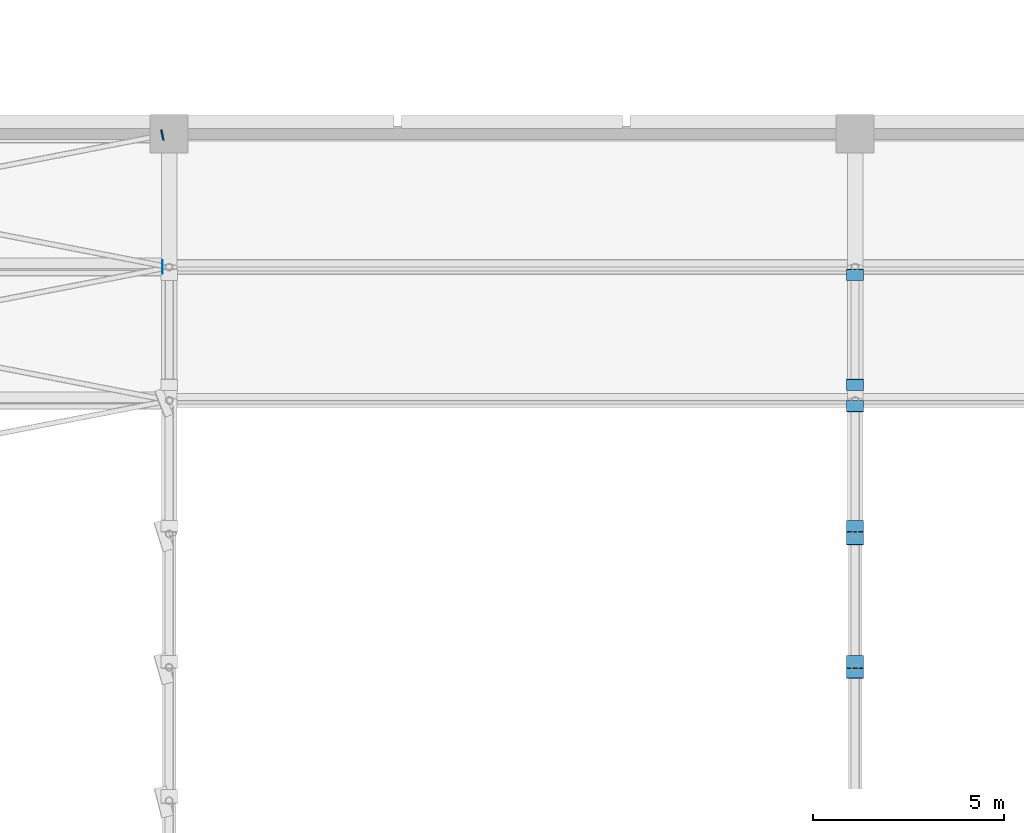
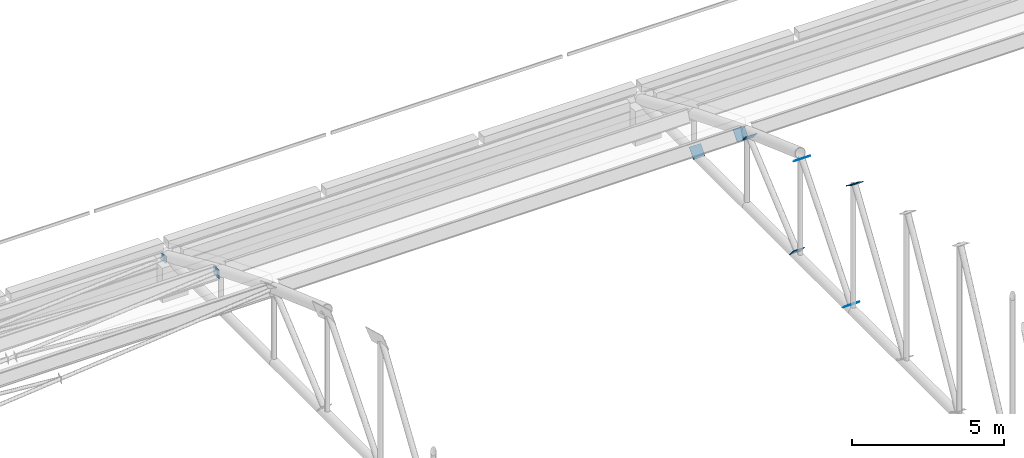
# One storey, part 174 of 196: 9 discrete accessories.
"""IFC4 building model written with IfcOpenShell, lengths in metres."""

from ifc_helpers import new_model, si_unit, direction, frame, origin, origin_2d, place, context, subcontext, project, spatial, rectangle, extrude, material, layer, layer_set, type_object, element, save


model = new_model("IFC4")

# Units and contexts
model_context = context("Model", 3, precision=1e-05, world=origin(), true_north=direction((0.0, 1.0)))
body_context = subcontext(model_context, "Body", "Model", "MODEL_VIEW")
ifc_project = project(units=[si_unit("LENGTHUNIT", "METRE"), si_unit("AREAUNIT", "SQUARE_METRE"), si_unit("VOLUMEUNIT", "CUBIC_METRE"), si_unit("PLANEANGLEUNIT", "RADIAN"), si_unit("MASSUNIT", "GRAM", prefix="KILO")], contexts=[model_context])

# Site, building, storey
site_placement = place(None, origin())
site = spatial("IfcSite", under=ifc_project, at=site_placement, CompositionType="ELEMENT")
building_placement = place(site_placement, origin())
building = spatial("IfcBuilding", under=site, at=building_placement, Name="Okhra Congress Centre", CompositionType="ELEMENT")
storey_placement = place(building_placement, frame((0.0, 0.0, 12.0)))
storey = spatial("IfcBuildingStorey", under=building, at=storey_placement, Name="L02", CompositionType="ELEMENT", Elevation=12.0)

# Discrete accessories
ifc_material = material(Name="Steel S355J2", Category="steel")
ifc_layer = layer(ifc_material, 0.02001953125)
ifc_layer_set = layer_set([ifc_layer], Name="Brace end connection plate 20 mm S355")
discrete_accessory_type = type_object("IfcDiscreteAccessoryType", Name="Brace end connection plate 20 mm S355", PredefinedType="BRACKET", material=ifc_layer_set)
for number, where, z_axis, x_axis, name in (
    (1, (64.0, 201.89404296875, 6.576416015625), (0.0, 0.551866900848, 0.833932205727), (-1.0, 0.0, 0.0), "Brace end connection plate"),
    (2, (64.0, 205.373779296875, 5.476318359375), (0.0, 0.630592625094, 0.776114000116), (-1.0, 0.0, 0.0), "Brace end connection plate"),
    (3, (64.0, 202.147216796875, 1.577880859375), (0.0, -0.643761629109, -0.765226087432), (1.0, 0.0, 0.0), "Brace end connection plate"),
    (4, (64.0, 208.8388671875, 4.237060546875), (0.0, 0.760121344352, 0.649781149204), (-1.0, 0.0, 0.0), "Brace end connection plate"),
    (5, (64.0, 205.709228515625, 1.577880859375), (0.0, -0.760121344352, -0.649781149204), (1.0, 0.0, 0.0), "Brace end connection plate"),
    (6, (64.0, 209.42578125, 4.01220703125), (0.0, -0.760121344352, 0.649781149204), (1.0, 0.0, 0.0), "Brace end connection plate"),
    (7, (64.0, 212.290771484375, 1.577880859375), (0.0, 0.760121344352, -0.649781149204), (-1.0, 0.0, 0.0), "Brace end connection plate"),
):
    element("IfcDiscreteAccessory", number, at=place(storey_placement, frame(where, z_axis=z_axis, x_axis=x_axis)), inside=storey, type_object=discrete_accessory_type, Name=name, PredefinedType="BRACKET", context=body_context, shape_type="SweptSolid", body=[
        extrude(rectangle(XDim=0.43798828125, YDim=0.43798828125, at=origin_2d()), origin(), (0.0, 0.0, 1.0), 0.02001953125),
    ])
discrete_accessory_1_placement = place(storey_placement, frame((45.814453125, 212.5, 2.966064453125), z_axis=(1.0, 0.0, 0.0), x_axis=(0.0, 1.0, 0.0)))
element("IfcDiscreteAccessory", 8, at=discrete_accessory_1_placement, inside=storey, type_object=discrete_accessory_type, Name="Brace end connection plate", PredefinedType="BRACKET", context=body_context, shape_type="SweptSolid", body=[
    extrude(rectangle(XDim=0.35791015625, YDim=0.35791015625, at=origin_2d()), origin(), (0.0, 0.0, 1.0), 0.019775390625),
])
discrete_accessory_2_placement = place(storey_placement, frame((45.814453125, 215.9638671875, 1.416259765625), z_axis=(0.97699107393, 0.195398214786, -0.085486718969), x_axis=(-0.196116135138, 0.980580675691, 0.0)))
element("IfcDiscreteAccessory", 9, at=discrete_accessory_2_placement, inside=storey, type_object=discrete_accessory_type, Name="Brace end connection plate", PredefinedType="BRACKET", context=body_context, shape_type="SweptSolid", body=[
    extrude(rectangle(XDim=0.279052734375, YDim=0.279052734375, at=origin_2d()), origin(), (0.0, 0.0, 1.0), 0.02001953125),
])

save(model, "model.ifc")
